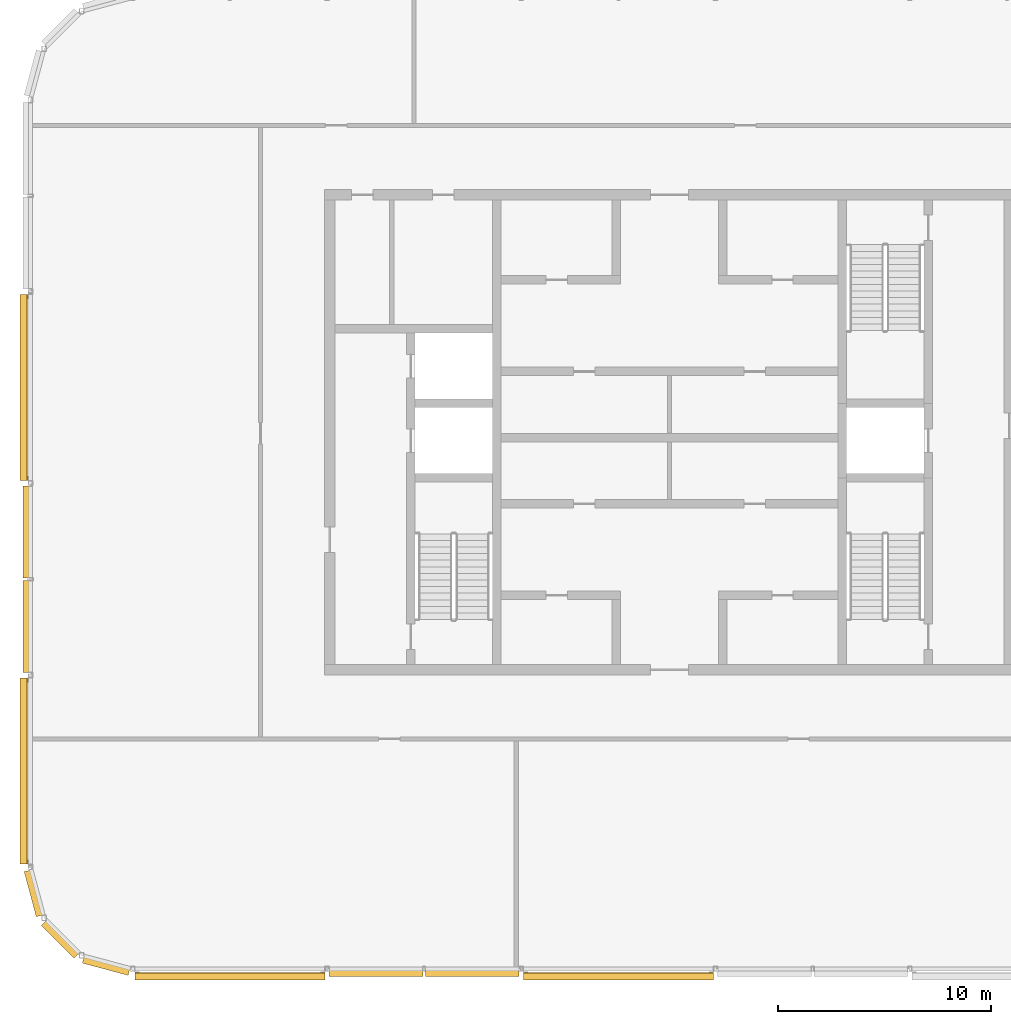
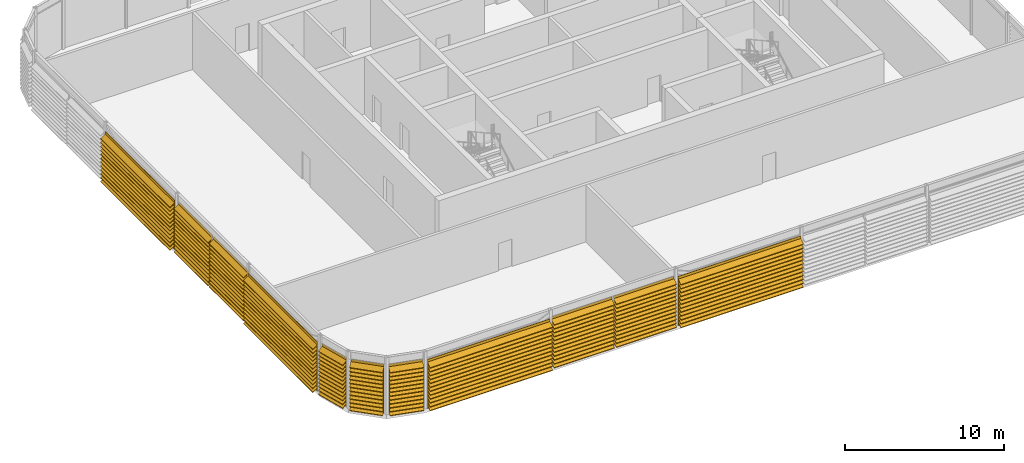
# One storey, part 23 of 27: 11 shading devices.
"""IFC4 building model written with IfcOpenShell, lengths in metres."""

from ifc_helpers import new_model, si_unit, direction, frame, origin, place, context, subcontext, project, spatial, polyline, outline, extrude, material, type_object, element, save


model = new_model("IFC4")

# Units and contexts
model_context = context("Model", 3, precision=1e-05, world=origin(), true_north=direction((0.0, 1.0)))
body_context = subcontext(model_context, "Body", "Model", "MODEL_VIEW")
ifc_project = project(units=[si_unit("LENGTHUNIT", "METRE"), si_unit("AREAUNIT", "SQUARE_METRE"), si_unit("VOLUMEUNIT", "CUBIC_METRE"), si_unit("PLANEANGLEUNIT", "RADIAN"), si_unit("MASSUNIT", "GRAM", prefix="KILO")], contexts=[model_context])

# Site, building, storey
site_placement = place(None, origin())
site = spatial("IfcSite", under=ifc_project, at=site_placement, CompositionType="ELEMENT")
building_placement = place(site_placement, origin())
building = spatial("IfcBuilding", under=site, at=building_placement, Name="Madar Terraces", CompositionType="ELEMENT")
storey_placement = place(building_placement, frame((0.0, 0.0, 301.10009765625)))
storey = spatial("IfcBuildingStorey", under=building, at=storey_placement, Name="L78", CompositionType="ELEMENT", Elevation=301.10009765625)

# Shading devices
ifc_material = material(Name="Aluminium, black anodised", Category="aluminium")
shading_device_type = type_object("IfcShadingDeviceType", Name="Crown louvre bank", PredefinedType="USERDEFINED", material=ifc_material)
shading_device_1_placement = place(storey_placement, frame((6.1015625, 1.199951171875, 0.0), z_axis=(1.0, 0.0, 0.0), x_axis=(0.0, 1.0, 0.0)))
element("IfcShadingDevice", 1, at=shading_device_1_placement, inside=storey, type_object=shading_device_type, Name="LOUVRE bank L78 1.1", ObjectType="LOUVRE", PredefinedType="USERDEFINED", context=body_context, shape_type="SweptSolid", body=[
    extrude(outline(polyline([(-0.156982421875, 0.0), (-0.18701171875, 0.0), (-0.18701171875, 0.24951171875), (-0.5146484375, 0.02001953125), (-0.5146484375, 0.06884765625), (-0.18701171875, 0.29833984375), (-0.18701171875, 0.54931640625), (-0.5146484375, 0.320068359375), (-0.5146484375, 0.368896484375), (-0.18701171875, 0.59814453125), (-0.18701171875, 0.849365234375), (-0.5146484375, 0.6201171875), (-0.5146484375, 0.6689453125), (-0.18701171875, 0.898193359375), (-0.18701171875, 1.1494140625), (-0.5146484375, 0.919921875), (-0.5146484375, 0.96875), (-0.18701171875, 1.1982421875), (-0.18701171875, 1.449462890625), (-0.5146484375, 1.219970703125), (-0.5146484375, 1.268798828125), (-0.18701171875, 1.498291015625), (-0.18701171875, 1.74951171875), (-0.5146484375, 1.52001953125), (-0.5146484375, 1.56884765625), (-0.18701171875, 1.79833984375), (-0.18701171875, 2.04931640625), (-0.5146484375, 1.820068359375), (-0.5146484375, 1.868896484375), (-0.18701171875, 2.09814453125), (-0.18701171875, 2.349365234375), (-0.5146484375, 2.1201171875), (-0.5146484375, 2.1689453125), (-0.18701171875, 2.398193359375), (-0.18701171875, 2.6494140625), (-0.5146484375, 2.419921875), (-0.5146484375, 2.46875), (-0.18701171875, 2.6982421875), (-0.18701171875, 2.949462890625), (-0.5146484375, 2.719970703125), (-0.5146484375, 2.768798828125), (-0.18701171875, 2.998291015625), (-0.18701171875, 3.24951171875), (-0.5146484375, 3.02001953125), (-0.5146484375, 3.06884765625), (-0.18701171875, 3.29833984375), (-0.18701171875, 3.54931640625), (-0.5146484375, 3.320068359375), (-0.5146484375, 3.368896484375), (-0.18701171875, 3.59814453125), (-0.18701171875, 3.798095703125), (-0.156982421875, 3.798095703125), (-0.156982421875, 0.0)])), origin(), (0.0, 0.0, 1.0), 8.916748046875),
])
shading_device_2_placement = place(storey_placement, frame((15.2216796875, 1.199951171875, 0.0), z_axis=(1.0, 0.0, 0.0), x_axis=(0.0, 1.0, 0.0)))
element("IfcShadingDevice", 2, at=shading_device_2_placement, inside=storey, type_object=shading_device_type, Name="LOUVRE bank L78 2.1", ObjectType="LOUVRE", PredefinedType="USERDEFINED", context=body_context, shape_type="SweptSolid", body=[
    extrude(outline(polyline([(0.014892578125, 0.0), (-0.014892578125, 0.0), (-0.014892578125, 0.24951171875), (-0.3427734375, 0.02001953125), (-0.3427734375, 0.06884765625), (-0.014892578125, 0.29833984375), (-0.014892578125, 0.54931640625), (-0.3427734375, 0.320068359375), (-0.3427734375, 0.368896484375), (-0.014892578125, 0.59814453125), (-0.014892578125, 0.849365234375), (-0.3427734375, 0.6201171875), (-0.3427734375, 0.6689453125), (-0.014892578125, 0.898193359375), (-0.014892578125, 1.1494140625), (-0.3427734375, 0.919921875), (-0.3427734375, 0.96875), (-0.014892578125, 1.1982421875), (-0.014892578125, 1.449462890625), (-0.3427734375, 1.219970703125), (-0.3427734375, 1.268798828125), (-0.014892578125, 1.498291015625), (-0.014892578125, 1.74951171875), (-0.3427734375, 1.52001953125), (-0.3427734375, 1.56884765625), (-0.014892578125, 1.79833984375), (-0.014892578125, 2.04931640625), (-0.3427734375, 1.820068359375), (-0.3427734375, 1.868896484375), (-0.014892578125, 2.09814453125), (-0.014892578125, 2.349365234375), (-0.3427734375, 2.1201171875), (-0.3427734375, 2.1689453125), (-0.014892578125, 2.398193359375), (-0.014892578125, 2.6494140625), (-0.3427734375, 2.419921875), (-0.3427734375, 2.46875), (-0.014892578125, 2.6982421875), (-0.014892578125, 2.949462890625), (-0.3427734375, 2.719970703125), (-0.3427734375, 2.768798828125), (-0.014892578125, 2.998291015625), (-0.014892578125, 3.24951171875), (-0.3427734375, 3.02001953125), (-0.3427734375, 3.06884765625), (-0.014892578125, 3.29833984375), (-0.014892578125, 3.54931640625), (-0.3427734375, 3.320068359375), (-0.3427734375, 3.368896484375), (-0.014892578125, 3.59814453125), (-0.014892578125, 3.798095703125), (0.014892578125, 3.798095703125), (0.014892578125, 0.0)])), origin(), (0.0, 0.0, 1.0), 4.394775390625),
])
shading_device_3_placement = place(storey_placement, frame((19.743408203125, 1.199951171875, 0.0), z_axis=(1.0, 0.0, 0.0), x_axis=(0.0, 1.0, 0.0)))
element("IfcShadingDevice", 3, at=shading_device_3_placement, inside=storey, type_object=shading_device_type, Name="LOUVRE bank L78 2.2", ObjectType="LOUVRE", PredefinedType="USERDEFINED", context=body_context, shape_type="SweptSolid", body=[
    extrude(outline(polyline([(0.014892578125, 0.0), (-0.014892578125, 0.0), (-0.014892578125, 0.24951171875), (-0.3427734375, 0.02001953125), (-0.3427734375, 0.06884765625), (-0.014892578125, 0.29833984375), (-0.014892578125, 0.54931640625), (-0.3427734375, 0.320068359375), (-0.3427734375, 0.368896484375), (-0.014892578125, 0.59814453125), (-0.014892578125, 0.849365234375), (-0.3427734375, 0.6201171875), (-0.3427734375, 0.6689453125), (-0.014892578125, 0.898193359375), (-0.014892578125, 1.1494140625), (-0.3427734375, 0.919921875), (-0.3427734375, 0.96875), (-0.014892578125, 1.1982421875), (-0.014892578125, 1.449462890625), (-0.3427734375, 1.219970703125), (-0.3427734375, 1.268798828125), (-0.014892578125, 1.498291015625), (-0.014892578125, 1.74951171875), (-0.3427734375, 1.52001953125), (-0.3427734375, 1.56884765625), (-0.014892578125, 1.79833984375), (-0.014892578125, 2.04931640625), (-0.3427734375, 1.820068359375), (-0.3427734375, 1.868896484375), (-0.014892578125, 2.09814453125), (-0.014892578125, 2.349365234375), (-0.3427734375, 2.1201171875), (-0.3427734375, 2.1689453125), (-0.014892578125, 2.398193359375), (-0.014892578125, 2.6494140625), (-0.3427734375, 2.419921875), (-0.3427734375, 2.46875), (-0.014892578125, 2.6982421875), (-0.014892578125, 2.949462890625), (-0.3427734375, 2.719970703125), (-0.3427734375, 2.768798828125), (-0.014892578125, 2.998291015625), (-0.014892578125, 3.24951171875), (-0.3427734375, 3.02001953125), (-0.3427734375, 3.06884765625), (-0.014892578125, 3.29833984375), (-0.014892578125, 3.54931640625), (-0.3427734375, 3.320068359375), (-0.3427734375, 3.368896484375), (-0.014892578125, 3.59814453125), (-0.014892578125, 3.798095703125), (0.014892578125, 3.798095703125), (0.014892578125, 0.0)])), origin(), (0.0, 0.0, 1.0), 4.39501953125),
])
shading_device_4_placement = place(storey_placement, frame((24.341552734375, 1.199951171875, 0.0), z_axis=(1.0, 0.0, 0.0), x_axis=(0.0, 1.0, 0.0)))
element("IfcShadingDevice", 4, at=shading_device_4_placement, inside=storey, type_object=shading_device_type, Name="LOUVRE bank L78 3.1", ObjectType="LOUVRE", PredefinedType="USERDEFINED", context=body_context, shape_type="SweptSolid", body=[
    extrude(outline(polyline([(-0.156982421875, 0.0), (-0.18701171875, 0.0), (-0.18701171875, 0.24951171875), (-0.5146484375, 0.02001953125), (-0.5146484375, 0.06884765625), (-0.18701171875, 0.29833984375), (-0.18701171875, 0.54931640625), (-0.5146484375, 0.320068359375), (-0.5146484375, 0.368896484375), (-0.18701171875, 0.59814453125), (-0.18701171875, 0.849365234375), (-0.5146484375, 0.6201171875), (-0.5146484375, 0.6689453125), (-0.18701171875, 0.898193359375), (-0.18701171875, 1.1494140625), (-0.5146484375, 0.919921875), (-0.5146484375, 0.96875), (-0.18701171875, 1.1982421875), (-0.18701171875, 1.449462890625), (-0.5146484375, 1.219970703125), (-0.5146484375, 1.268798828125), (-0.18701171875, 1.498291015625), (-0.18701171875, 1.74951171875), (-0.5146484375, 1.52001953125), (-0.5146484375, 1.56884765625), (-0.18701171875, 1.79833984375), (-0.18701171875, 2.04931640625), (-0.5146484375, 1.820068359375), (-0.5146484375, 1.868896484375), (-0.18701171875, 2.09814453125), (-0.18701171875, 2.349365234375), (-0.5146484375, 2.1201171875), (-0.5146484375, 2.1689453125), (-0.18701171875, 2.398193359375), (-0.18701171875, 2.6494140625), (-0.5146484375, 2.419921875), (-0.5146484375, 2.46875), (-0.18701171875, 2.6982421875), (-0.18701171875, 2.949462890625), (-0.5146484375, 2.719970703125), (-0.5146484375, 2.768798828125), (-0.18701171875, 2.998291015625), (-0.18701171875, 3.24951171875), (-0.5146484375, 3.02001953125), (-0.5146484375, 3.06884765625), (-0.18701171875, 3.29833984375), (-0.18701171875, 3.54931640625), (-0.5146484375, 3.320068359375), (-0.5146484375, 3.368896484375), (-0.18701171875, 3.59814453125), (-0.18701171875, 3.798095703125), (-0.156982421875, 3.798095703125), (-0.156982421875, 0.0)])), origin(), (0.0, 0.0, 1.0), 8.916748046875),
])
shading_device_5_placement = place(storey_placement, frame((1.199951171875, 32.873046875, 0.0), z_axis=(0.0, -1.0, 0.0), x_axis=(1.0, 0.0, 0.0)))
element("IfcShadingDevice", 5, at=shading_device_5_placement, inside=storey, type_object=shading_device_type, Name="LOUVRE bank L78 25.1", ObjectType="LOUVRE", PredefinedType="USERDEFINED", context=body_context, shape_type="SweptSolid", body=[
    extrude(outline(polyline([(-0.131591796875, 0.0), (-0.16162109375, 0.0), (-0.16162109375, 0.24951171875), (-0.4892578125, 0.02001953125), (-0.4892578125, 0.06884765625), (-0.16162109375, 0.29833984375), (-0.16162109375, 0.54931640625), (-0.4892578125, 0.320068359375), (-0.4892578125, 0.368896484375), (-0.16162109375, 0.59814453125), (-0.16162109375, 0.849365234375), (-0.4892578125, 0.6201171875), (-0.4892578125, 0.6689453125), (-0.16162109375, 0.898193359375), (-0.16162109375, 1.1494140625), (-0.4892578125, 0.919921875), (-0.4892578125, 0.96875), (-0.16162109375, 1.1982421875), (-0.16162109375, 1.449462890625), (-0.4892578125, 1.219970703125), (-0.4892578125, 1.268798828125), (-0.16162109375, 1.498291015625), (-0.16162109375, 1.74951171875), (-0.4892578125, 1.52001953125), (-0.4892578125, 1.56884765625), (-0.16162109375, 1.79833984375), (-0.16162109375, 2.04931640625), (-0.4892578125, 1.820068359375), (-0.4892578125, 1.868896484375), (-0.16162109375, 2.09814453125), (-0.16162109375, 2.349365234375), (-0.4892578125, 2.1201171875), (-0.4892578125, 2.1689453125), (-0.16162109375, 2.398193359375), (-0.16162109375, 2.6494140625), (-0.4892578125, 2.419921875), (-0.4892578125, 2.46875), (-0.16162109375, 2.6982421875), (-0.16162109375, 2.949462890625), (-0.4892578125, 2.719970703125), (-0.4892578125, 2.768798828125), (-0.16162109375, 2.998291015625), (-0.16162109375, 3.24951171875), (-0.4892578125, 3.02001953125), (-0.4892578125, 3.06884765625), (-0.16162109375, 3.29833984375), (-0.16162109375, 3.54931640625), (-0.4892578125, 3.320068359375), (-0.4892578125, 3.368896484375), (-0.16162109375, 3.59814453125), (-0.16162109375, 3.798095703125), (-0.131591796875, 3.798095703125), (-0.131591796875, 0.0)])), origin(), (0.0, 0.0, 1.0), 8.74609375),
])
shading_device_6_placement = place(storey_placement, frame((1.199951171875, 23.873046875, 0.0), z_axis=(0.0, -1.0, 0.0), x_axis=(1.0, 0.0, 0.0)))
element("IfcShadingDevice", 6, at=shading_device_6_placement, inside=storey, type_object=shading_device_type, Name="LOUVRE bank L78 26.1", ObjectType="LOUVRE", PredefinedType="USERDEFINED", context=body_context, shape_type="SweptSolid", body=[
    extrude(outline(polyline([(0.014892578125, 0.0), (-0.014892578125, 0.0), (-0.014892578125, 0.24951171875), (-0.3427734375, 0.02001953125), (-0.3427734375, 0.06884765625), (-0.014892578125, 0.29833984375), (-0.014892578125, 0.54931640625), (-0.3427734375, 0.320068359375), (-0.3427734375, 0.368896484375), (-0.014892578125, 0.59814453125), (-0.014892578125, 0.849365234375), (-0.3427734375, 0.6201171875), (-0.3427734375, 0.6689453125), (-0.014892578125, 0.898193359375), (-0.014892578125, 1.1494140625), (-0.3427734375, 0.919921875), (-0.3427734375, 0.96875), (-0.014892578125, 1.1982421875), (-0.014892578125, 1.449462890625), (-0.3427734375, 1.219970703125), (-0.3427734375, 1.268798828125), (-0.014892578125, 1.498291015625), (-0.014892578125, 1.74951171875), (-0.3427734375, 1.52001953125), (-0.3427734375, 1.56884765625), (-0.014892578125, 1.79833984375), (-0.014892578125, 2.04931640625), (-0.3427734375, 1.820068359375), (-0.3427734375, 1.868896484375), (-0.014892578125, 2.09814453125), (-0.014892578125, 2.349365234375), (-0.3427734375, 2.1201171875), (-0.3427734375, 2.1689453125), (-0.014892578125, 2.398193359375), (-0.014892578125, 2.6494140625), (-0.3427734375, 2.419921875), (-0.3427734375, 2.46875), (-0.014892578125, 2.6982421875), (-0.014892578125, 2.949462890625), (-0.3427734375, 2.719970703125), (-0.3427734375, 2.768798828125), (-0.014892578125, 2.998291015625), (-0.014892578125, 3.24951171875), (-0.3427734375, 3.02001953125), (-0.3427734375, 3.06884765625), (-0.014892578125, 3.29833984375), (-0.014892578125, 3.54931640625), (-0.3427734375, 3.320068359375), (-0.3427734375, 3.368896484375), (-0.014892578125, 3.59814453125), (-0.014892578125, 3.798095703125), (0.014892578125, 3.798095703125), (0.014892578125, 0.0)])), origin(), (0.0, 0.0, 1.0), 4.3095703125),
])
shading_device_7_placement = place(storey_placement, frame((1.199951171875, 19.4365234375, 0.0), z_axis=(0.0, -1.0, 0.0), x_axis=(1.0, 0.0, 0.0)))
element("IfcShadingDevice", 7, at=shading_device_7_placement, inside=storey, type_object=shading_device_type, Name="LOUVRE bank L78 26.2", ObjectType="LOUVRE", PredefinedType="USERDEFINED", context=body_context, shape_type="SweptSolid", body=[
    extrude(outline(polyline([(0.014892578125, 0.0), (-0.014892578125, 0.0), (-0.014892578125, 0.24951171875), (-0.3427734375, 0.02001953125), (-0.3427734375, 0.06884765625), (-0.014892578125, 0.29833984375), (-0.014892578125, 0.54931640625), (-0.3427734375, 0.320068359375), (-0.3427734375, 0.368896484375), (-0.014892578125, 0.59814453125), (-0.014892578125, 0.849365234375), (-0.3427734375, 0.6201171875), (-0.3427734375, 0.6689453125), (-0.014892578125, 0.898193359375), (-0.014892578125, 1.1494140625), (-0.3427734375, 0.919921875), (-0.3427734375, 0.96875), (-0.014892578125, 1.1982421875), (-0.014892578125, 1.449462890625), (-0.3427734375, 1.219970703125), (-0.3427734375, 1.268798828125), (-0.014892578125, 1.498291015625), (-0.014892578125, 1.74951171875), (-0.3427734375, 1.52001953125), (-0.3427734375, 1.56884765625), (-0.014892578125, 1.79833984375), (-0.014892578125, 2.04931640625), (-0.3427734375, 1.820068359375), (-0.3427734375, 1.868896484375), (-0.014892578125, 2.09814453125), (-0.014892578125, 2.349365234375), (-0.3427734375, 2.1201171875), (-0.3427734375, 2.1689453125), (-0.014892578125, 2.398193359375), (-0.014892578125, 2.6494140625), (-0.3427734375, 2.419921875), (-0.3427734375, 2.46875), (-0.014892578125, 2.6982421875), (-0.014892578125, 2.949462890625), (-0.3427734375, 2.719970703125), (-0.3427734375, 2.768798828125), (-0.014892578125, 2.998291015625), (-0.014892578125, 3.24951171875), (-0.3427734375, 3.02001953125), (-0.3427734375, 3.06884765625), (-0.014892578125, 3.29833984375), (-0.014892578125, 3.54931640625), (-0.3427734375, 3.320068359375), (-0.3427734375, 3.368896484375), (-0.014892578125, 3.59814453125), (-0.014892578125, 3.798095703125), (0.014892578125, 3.798095703125), (0.014892578125, 0.0)])), origin(), (0.0, 0.0, 1.0), 4.3095703125),
])
shading_device_8_placement = place(storey_placement, frame((1.199951171875, 14.873046875, 0.0), z_axis=(0.0, -1.0, 0.0), x_axis=(1.0, 0.0, 0.0)))
element("IfcShadingDevice", 8, at=shading_device_8_placement, inside=storey, type_object=shading_device_type, Name="LOUVRE bank L78 27.1", ObjectType="LOUVRE", PredefinedType="USERDEFINED", context=body_context, shape_type="SweptSolid", body=[
    extrude(outline(polyline([(-0.131591796875, 0.0), (-0.16162109375, 0.0), (-0.16162109375, 0.24951171875), (-0.4892578125, 0.02001953125), (-0.4892578125, 0.06884765625), (-0.16162109375, 0.29833984375), (-0.16162109375, 0.54931640625), (-0.4892578125, 0.320068359375), (-0.4892578125, 0.368896484375), (-0.16162109375, 0.59814453125), (-0.16162109375, 0.849365234375), (-0.4892578125, 0.6201171875), (-0.4892578125, 0.6689453125), (-0.16162109375, 0.898193359375), (-0.16162109375, 1.1494140625), (-0.4892578125, 0.919921875), (-0.4892578125, 0.96875), (-0.16162109375, 1.1982421875), (-0.16162109375, 1.449462890625), (-0.4892578125, 1.219970703125), (-0.4892578125, 1.268798828125), (-0.16162109375, 1.498291015625), (-0.16162109375, 1.74951171875), (-0.4892578125, 1.52001953125), (-0.4892578125, 1.56884765625), (-0.16162109375, 1.79833984375), (-0.16162109375, 2.04931640625), (-0.4892578125, 1.820068359375), (-0.4892578125, 1.868896484375), (-0.16162109375, 2.09814453125), (-0.16162109375, 2.349365234375), (-0.4892578125, 2.1201171875), (-0.4892578125, 2.1689453125), (-0.16162109375, 2.398193359375), (-0.16162109375, 2.6494140625), (-0.4892578125, 2.419921875), (-0.4892578125, 2.46875), (-0.16162109375, 2.6982421875), (-0.16162109375, 2.949462890625), (-0.4892578125, 2.719970703125), (-0.4892578125, 2.768798828125), (-0.16162109375, 2.998291015625), (-0.16162109375, 3.24951171875), (-0.4892578125, 3.02001953125), (-0.4892578125, 3.06884765625), (-0.16162109375, 3.29833984375), (-0.16162109375, 3.54931640625), (-0.4892578125, 3.320068359375), (-0.4892578125, 3.368896484375), (-0.16162109375, 3.59814453125), (-0.16162109375, 3.798095703125), (-0.131591796875, 3.798095703125), (-0.131591796875, 0.0)])), origin(), (0.0, 0.0, 1.0), 8.74609375),
])
shading_device_9_placement = place(storey_placement, frame((1.238525390625, 5.856201171875, 0.0), z_axis=(0.258788169352, -0.965934098893, 0.0), x_axis=(0.965934098893, 0.258788169352, 0.0)))
element("IfcShadingDevice", 9, at=shading_device_9_placement, inside=storey, type_object=shading_device_type, Name="LOUVRE bank L78 28.1", ObjectType="LOUVRE", PredefinedType="USERDEFINED", context=body_context, shape_type="SweptSolid", body=[
    extrude(outline(polyline([(0.014892578125, 0.0), (-0.014892578125, 0.0), (-0.014892578125, 0.24951171875), (-0.3427734375, 0.02001953125), (-0.3427734375, 0.06884765625), (-0.014892578125, 0.29833984375), (-0.014892578125, 0.54931640625), (-0.3427734375, 0.320068359375), (-0.3427734375, 0.368896484375), (-0.014892578125, 0.59814453125), (-0.014892578125, 0.849365234375), (-0.3427734375, 0.6201171875), (-0.3427734375, 0.6689453125), (-0.014892578125, 0.898193359375), (-0.014892578125, 1.1494140625), (-0.3427734375, 0.919921875), (-0.3427734375, 0.96875), (-0.014892578125, 1.1982421875), (-0.014892578125, 1.449462890625), (-0.3427734375, 1.219970703125), (-0.3427734375, 1.268798828125), (-0.014892578125, 1.498291015625), (-0.014892578125, 1.74951171875), (-0.3427734375, 1.52001953125), (-0.3427734375, 1.56884765625), (-0.014892578125, 1.79833984375), (-0.014892578125, 2.04931640625), (-0.3427734375, 1.820068359375), (-0.3427734375, 1.868896484375), (-0.014892578125, 2.09814453125), (-0.014892578125, 2.349365234375), (-0.3427734375, 2.1201171875), (-0.3427734375, 2.1689453125), (-0.014892578125, 2.398193359375), (-0.014892578125, 2.6494140625), (-0.3427734375, 2.419921875), (-0.3427734375, 2.46875), (-0.014892578125, 2.6982421875), (-0.014892578125, 2.949462890625), (-0.3427734375, 2.719970703125), (-0.3427734375, 2.768798828125), (-0.014892578125, 2.998291015625), (-0.014892578125, 3.24951171875), (-0.3427734375, 3.02001953125), (-0.3427734375, 3.06884765625), (-0.014892578125, 3.29833984375), (-0.014892578125, 3.54931640625), (-0.3427734375, 3.320068359375), (-0.3427734375, 3.368896484375), (-0.014892578125, 3.59814453125), (-0.014892578125, 3.798095703125), (0.014892578125, 3.798095703125), (0.014892578125, 0.0)])), origin(), (0.0, 0.0, 1.0), 2.186767578125),
])
shading_device_10_placement = place(storey_placement, frame((1.957275390625, 3.485595703125, 0.0), z_axis=(0.707106781187, -0.707106781187, 0.0), x_axis=(0.707106781187, 0.707106781187, 0.0)))
element("IfcShadingDevice", 10, at=shading_device_10_placement, inside=storey, type_object=shading_device_type, Name="LOUVRE bank L78 29.1", ObjectType="LOUVRE", PredefinedType="USERDEFINED", context=body_context, shape_type="SweptSolid", body=[
    extrude(outline(polyline([(0.014892578125, 0.0), (-0.014892578125, 0.0), (-0.014892578125, 0.24951171875), (-0.3427734375, 0.02001953125), (-0.3427734375, 0.06884765625), (-0.014892578125, 0.29833984375), (-0.014892578125, 0.54931640625), (-0.3427734375, 0.320068359375), (-0.3427734375, 0.368896484375), (-0.014892578125, 0.59814453125), (-0.014892578125, 0.849365234375), (-0.3427734375, 0.6201171875), (-0.3427734375, 0.6689453125), (-0.014892578125, 0.898193359375), (-0.014892578125, 1.1494140625), (-0.3427734375, 0.919921875), (-0.3427734375, 0.96875), (-0.014892578125, 1.1982421875), (-0.014892578125, 1.449462890625), (-0.3427734375, 1.219970703125), (-0.3427734375, 1.268798828125), (-0.014892578125, 1.498291015625), (-0.014892578125, 1.74951171875), (-0.3427734375, 1.52001953125), (-0.3427734375, 1.56884765625), (-0.014892578125, 1.79833984375), (-0.014892578125, 2.04931640625), (-0.3427734375, 1.820068359375), (-0.3427734375, 1.868896484375), (-0.014892578125, 2.09814453125), (-0.014892578125, 2.349365234375), (-0.3427734375, 2.1201171875), (-0.3427734375, 2.1689453125), (-0.014892578125, 2.398193359375), (-0.014892578125, 2.6494140625), (-0.3427734375, 2.419921875), (-0.3427734375, 2.46875), (-0.014892578125, 2.6982421875), (-0.014892578125, 2.949462890625), (-0.3427734375, 2.719970703125), (-0.3427734375, 2.768798828125), (-0.014892578125, 2.998291015625), (-0.014892578125, 3.24951171875), (-0.3427734375, 3.02001953125), (-0.3427734375, 3.06884765625), (-0.014892578125, 3.29833984375), (-0.014892578125, 3.54931640625), (-0.3427734375, 3.320068359375), (-0.3427734375, 3.368896484375), (-0.014892578125, 3.59814453125), (-0.014892578125, 3.798095703125), (0.014892578125, 3.798095703125), (0.014892578125, 0.0)])), origin(), (0.0, 0.0, 1.0), 2.161376953125),
])
shading_device_11_placement = place(storey_placement, frame((3.7265625, 1.80908203125, 0.0), z_axis=(0.965935304808, -0.258783668197, 0.0), x_axis=(0.258783668197, 0.965935304808, 0.0)))
element("IfcShadingDevice", 11, at=shading_device_11_placement, inside=storey, type_object=shading_device_type, Name="LOUVRE bank L78 30.1", ObjectType="LOUVRE", PredefinedType="USERDEFINED", context=body_context, shape_type="SweptSolid", body=[
    extrude(outline(polyline([(0.014892578125, 0.0), (-0.014892578125, 0.0), (-0.014892578125, 0.24951171875), (-0.3427734375, 0.02001953125), (-0.3427734375, 0.06884765625), (-0.014892578125, 0.29833984375), (-0.014892578125, 0.54931640625), (-0.3427734375, 0.320068359375), (-0.3427734375, 0.368896484375), (-0.014892578125, 0.59814453125), (-0.014892578125, 0.849365234375), (-0.3427734375, 0.6201171875), (-0.3427734375, 0.6689453125), (-0.014892578125, 0.898193359375), (-0.014892578125, 1.1494140625), (-0.3427734375, 0.919921875), (-0.3427734375, 0.96875), (-0.014892578125, 1.1982421875), (-0.014892578125, 1.449462890625), (-0.3427734375, 1.219970703125), (-0.3427734375, 1.268798828125), (-0.014892578125, 1.498291015625), (-0.014892578125, 1.74951171875), (-0.3427734375, 1.52001953125), (-0.3427734375, 1.56884765625), (-0.014892578125, 1.79833984375), (-0.014892578125, 2.04931640625), (-0.3427734375, 1.820068359375), (-0.3427734375, 1.868896484375), (-0.014892578125, 2.09814453125), (-0.014892578125, 2.349365234375), (-0.3427734375, 2.1201171875), (-0.3427734375, 2.1689453125), (-0.014892578125, 2.398193359375), (-0.014892578125, 2.6494140625), (-0.3427734375, 2.419921875), (-0.3427734375, 2.46875), (-0.014892578125, 2.6982421875), (-0.014892578125, 2.949462890625), (-0.3427734375, 2.719970703125), (-0.3427734375, 2.768798828125), (-0.014892578125, 2.998291015625), (-0.014892578125, 3.24951171875), (-0.3427734375, 3.02001953125), (-0.3427734375, 3.06884765625), (-0.014892578125, 3.29833984375), (-0.014892578125, 3.54931640625), (-0.3427734375, 3.320068359375), (-0.3427734375, 3.368896484375), (-0.014892578125, 3.59814453125), (-0.014892578125, 3.798095703125), (0.014892578125, 3.798095703125), (0.014892578125, 0.0)])), origin(), (0.0, 0.0, 1.0), 2.22265625),
])

save(model, "model.ifc")
